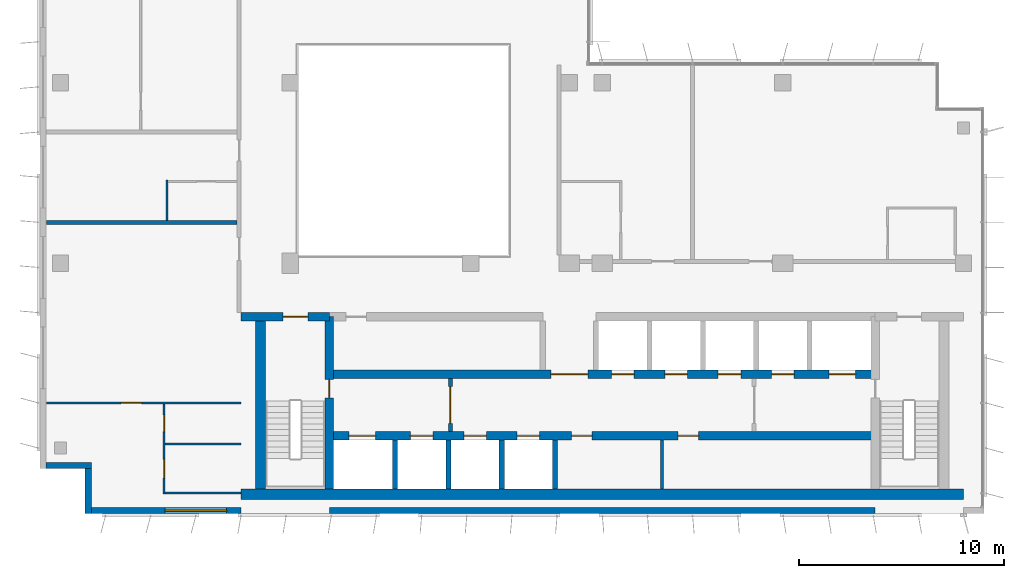
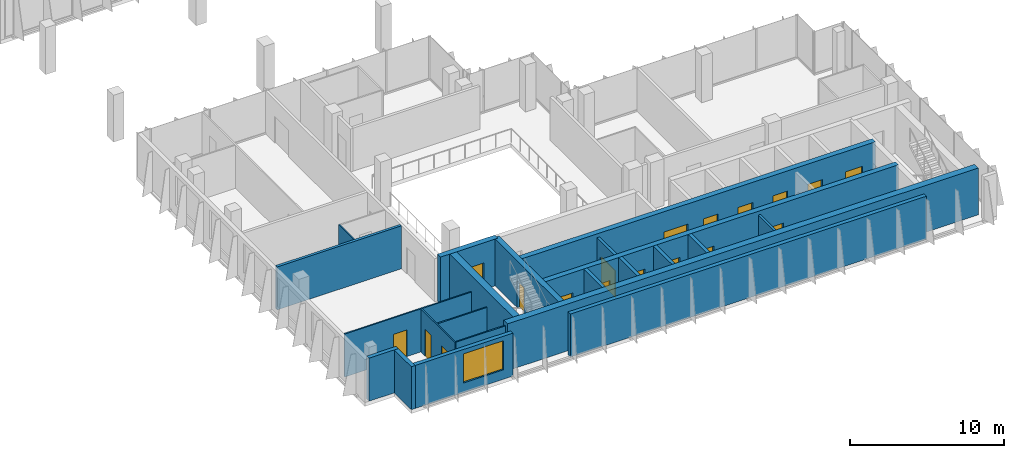
# One storey, part 9 of 14: 22 walls, 18 doors, 1 window, 19 openings.
"""IFC4 building model written with IfcOpenShell, lengths in metres."""

from ifc_helpers import new_model, si_unit, direction, frame, frame_2d, origin, place, context, subcontext, project, spatial, rectangle, extrude, material, layer, layer_set, type_object, element, fill, save


model = new_model("IFC4")

# Units and contexts
model_context = context("Model", 3, precision=1e-05, world=origin(), true_north=direction((0.0, 1.0)))
body_context = subcontext(model_context, "Body", "Model", "MODEL_VIEW")
ifc_project = project(units=[si_unit("LENGTHUNIT", "METRE"), si_unit("AREAUNIT", "SQUARE_METRE"), si_unit("VOLUMEUNIT", "CUBIC_METRE"), si_unit("PLANEANGLEUNIT", "RADIAN"), si_unit("MASSUNIT", "GRAM", prefix="KILO")], contexts=[model_context])

# Site, building, storey
site_placement = place(None, origin())
site = spatial("IfcSite", under=ifc_project, at=site_placement, CompositionType="ELEMENT")
building_placement = place(site_placement, origin())
building = spatial("IfcBuilding", under=site, at=building_placement, Name="Kemantara Hotel Tower", CompositionType="ELEMENT")
storey_placement = place(building_placement, frame((0.0, 0.0, 248.699951171875)))
storey = spatial("IfcBuildingStorey", under=building, at=storey_placement, Name="L62", CompositionType="ELEMENT", Elevation=248.699951171875)

# Walls
ifc_material_1 = material(Name="Bronze anodised aluminium cladding on insulated steel stud wall", Category="steel")
ifc_layer_1 = layer(ifc_material_1, 0.300048828125)
ifc_layer_set_1 = layer_set([ifc_layer_1], Name="Bronze anodised aluminium cladding on insulated steel stud wall")
wall_type_1 = type_object("IfcWallType", Name="BRONZE METAL-CLAD EXTERNAL WALL 300", PredefinedType="STANDARD", material=ifc_layer_set_1)
for number, where, z_axis, x_axis, name in (
    (1, (0.300048828125, 2.35009765625, 0.0), (0.0, 0.0, 1.0), (1.0, 0.0, 0.0), "EXTERNAL WALL L62 T4P-R03"),
    (2, (2.35009765625, 2.199951171875, 0.0), (0.0, 0.0, 1.0), (0.0, -1.0, 0.0), "EXTERNAL WALL L62 T4P-R04"),
):
    element("IfcWall", number, at=place(storey_placement, frame(where, z_axis=z_axis, x_axis=x_axis)), inside=storey, type_object=wall_type_1, Name=name, PredefinedType="STANDARD", context=body_context, shape_type="SweptSolid", body=[
        extrude(rectangle(XDim=2.199951171875, YDim=0.300048828125, at=frame_2d((1.10009765625, 0.0))), origin(), (0.0, 0.0, 1.0), 3.400146484375),
    ])

# Wall, opening, window
wall_1_placement = place(storey_placement, frame((2.5, 0.14990234375, 0.0), z_axis=(0.0, 0.0, 1.0), x_axis=(1.0, 0.0, 0.0)))
wall_1 = element("IfcWall", 3, at=wall_1_placement, inside=storey, type_object=wall_type_1, Name="EXTERNAL WALL L62 T4P-R05", PredefinedType="STANDARD", context=body_context, shape_type="SweptSolid", body=[
    extrude(rectangle(XDim=7.300048828125, YDim=0.300048828125, at=frame_2d((3.64990234375, 0.0))), origin(), (0.0, 0.0, 1.0), 3.400146484375),
])
opening_1_placement = place(wall_1_placement, frame((3.60009765625, 0.0, 0.75)))
opening_1 = element("IfcOpeningElement", 4, at=opening_1_placement, cuts=wall_1, Name="Opening W1", PredefinedType="OPENING", context=body_context, shape_type="SweptSolid", body=[
    extrude(rectangle(XDim=3.0, YDim=2.300048828125, at=frame_2d((1.5, 1.14990234375))), frame((0.0, 0.159912109375, 0.0), z_axis=(0.0, -1.0, 0.0), x_axis=(1.0, 0.0, 0.0)), (0.0, 0.0, 1.0), 0.320068359375),
])
ifc_material_2 = material(Name="Low-E tinted double insulated glass in bronze anodised aluminium frame", Category="aluminium")
window_type = type_object("IfcWindowType", Name="CHICAGO WINDOW, TRIPLE PANEL 3000x2300", PartitioningType="TRIPLE_PANEL_VERTICAL", PredefinedType="WINDOW", material=ifc_material_2)
window_placement = place(opening_1_placement, origin())
window = element("IfcWindow", 5, at=window_placement, inside=storey, type_object=window_type, Name="CHICAGO WINDOW L62 T4P-R05-54", OverallHeight=2.300048828125, OverallWidth=3.0, PartitioningType="SINGLE_PANEL", PredefinedType="WINDOW", context=body_context, shape_type="SweptSolid", body=[
    extrude(rectangle(XDim=3.0, YDim=2.300048828125, at=frame_2d((1.5, 1.14990234375))), frame((0.0, 0.030029296875, 0.0), z_axis=(0.0, -1.0, 0.0), x_axis=(1.0, 0.0, 0.0)), (0.0, 0.0, 1.0), 0.06005859375),
])
fill(opening_1, window)

# Walls
wall_2_placement = place(storey_placement, frame((14.10009765625, 0.14990234375, 0.0), z_axis=(0.0, 0.0, 1.0), x_axis=(1.0, 0.0, 0.0)))
element("IfcWall", 6, at=wall_2_placement, inside=storey, type_object=wall_type_1, Name="EXTERNAL WALL L62 T4P-R05-2", PredefinedType="STANDARD", context=body_context, shape_type="SweptSolid", body=[
    extrude(rectangle(XDim=26.599853515625, YDim=0.300048828125, at=frame_2d((13.2998046875, 0.0))), origin(), (0.0, 0.0, 1.0), 3.400146484375),
])
ifc_material_3 = material(Name="Concrete fc 60 MPa", Category="concrete")
ifc_layer_2 = layer(ifc_material_3, 0.25)
ifc_layer_set_2 = layer_set([ifc_layer_2], Name="Concrete fc 60 MPa")
wall_type_2 = type_object("IfcWallType", Name="CORE WALL 250 FC60", PredefinedType="SHEAR", material=ifc_layer_set_2)
for number, where, z_axis, x_axis, name in (
    (7, (17.300048828125, 1.199951171875, 0.0), (0.0, 0.0, 1.0), (0.0, 1.0, 0.0), "CORE WALL CW-DS17.3"),
    (8, (19.89990234375, 1.199951171875, 0.0), (0.0, 0.0, 1.0), (0.0, 1.0, 0.0), "CORE WALL CW-DS19.9"),
    (9, (22.5, 1.199951171875, 0.0), (0.0, 0.0, 1.0), (0.0, 1.0, 0.0), "CORE WALL CW-DS22.5"),
    (10, (25.10009765625, 1.199951171875, 0.0), (0.0, 0.0, 1.0), (0.0, 1.0, 0.0), "CORE WALL CW-DS25.1"),
):
    element("IfcWall", number, at=place(storey_placement, frame(where, z_axis=z_axis, x_axis=x_axis)), inside=storey, type_object=wall_type_2, Name=name, PredefinedType="SHEAR", context=body_context, shape_type="SweptSolid", body=[
        extrude(rectangle(XDim=2.400146484375, YDim=0.25, at=frame_2d((1.2001953125, 0.0))), origin(), (0.0, 0.0, 1.0), 3.699951171875),
    ])

# Wall, opening, door
ifc_layer_3 = layer(ifc_material_3, 0.39990234375)
ifc_layer_set_3 = layer_set([ifc_layer_3], Name="Concrete fc 60 MPa")
wall_type_3 = type_object("IfcWallType", Name="CORE WALL 400 FC60", PredefinedType="SHEAR", material=ifc_layer_set_3)
wall_3_placement = place(storey_placement, frame((9.800048828125, 9.60009765625, 0.0), z_axis=(0.0, 0.0, 1.0), x_axis=(1.0, 0.0, 0.0)))
wall_3 = element("IfcWall", 11, at=wall_3_placement, inside=storey, type_object=wall_type_3, Name="CORE WALL CW-N1", PredefinedType="SHEAR", context=body_context, shape_type="SweptSolid", body=[
    extrude(rectangle(XDim=4.300048828125, YDim=0.39990234375, at=frame_2d((2.14990234375, 0.0))), origin(), (0.0, 0.0, 1.0), 3.699951171875),
])
opening_2_placement = place(wall_3_placement, frame((2.050048828125, 0.0, 0.0)))
opening_2 = element("IfcOpeningElement", 12, at=opening_2_placement, cuts=wall_3, Name="Opening C37-ST1-C", PredefinedType="OPENING", context=body_context, shape_type="SweptSolid", body=[
    extrude(rectangle(XDim=1.199951171875, YDim=2.10009765625, at=frame_2d((0.60009765625, 1.050048828125))), frame((0.0, 0.2099609375, 0.0), z_axis=(0.0, -1.0, 0.0), x_axis=(1.0, 0.0, 0.0)), (0.0, 0.0, 1.0), 0.419921875),
])
ifc_material_4 = material(Name="Steel fire door", Category="steel")
door_type_1 = type_object("IfcDoorType", Name="Fire door FD90 1200 x 2100", OperationType="NOTDEFINED", PredefinedType="DOOR", material=ifc_material_4)
door_1_placement = place(opening_2_placement, frame((1.199951171875, 0.0, 0.0), z_axis=(0.0, 0.0, 1.0), x_axis=(-1.0, 0.0, 0.0)))
door_1 = element("IfcDoor", 13, at=door_1_placement, inside=storey, type_object=door_type_1, Name="Stair ST1 door to corridor", OperationType="SINGLE_SWING_LEFT", OverallHeight=2.10009765625, OverallWidth=1.199951171875, PredefinedType="DOOR", context=body_context, shape_type="SweptSolid", body=[
    extrude(rectangle(XDim=1.199951171875, YDim=2.10009765625, at=frame_2d((0.60009765625, 1.050048828125))), frame((0.0, 0.02490234375, 0.0), z_axis=(0.0, -1.0, 0.0), x_axis=(1.0, 0.0, 0.0)), (0.0, 0.0, 1.0), 0.050048828125),
])
fill(opening_2, door_1)

# Wall, openings, doors
wall_4_placement = place(storey_placement, frame((14.10009765625, 3.800048828125, 0.0), z_axis=(0.0, 0.0, 1.0), x_axis=(1.0, 0.0, 0.0)))
wall_4 = element("IfcWall", 14, at=wall_4_placement, inside=storey, type_object=wall_type_3, Name="CORE WALL CW-L1", PredefinedType="SHEAR", context=body_context, shape_type="SweptSolid", body=[
    extrude(rectangle(XDim=26.599853515625, YDim=0.39990234375, at=frame_2d((13.2998046875, 0.0))), origin(), (0.0, 0.0, 1.0), 3.699951171875),
])
opening_3_placement = place(wall_4_placement, frame((0.949951171875, 0.0, 0.0)))
opening_3 = element("IfcOpeningElement", 15, at=opening_3_placement, cuts=wall_4, Name="Opening C37-LD-FF1", PredefinedType="OPENING", context=body_context, shape_type="SweptSolid", body=[
    extrude(rectangle(XDim=1.300048828125, YDim=2.10009765625, at=frame_2d((0.64990234375, 1.050048828125))), frame((0.0, 0.2099609375, 0.0), z_axis=(0.0, -1.0, 0.0), x_axis=(1.0, 0.0, 0.0)), (0.0, 0.0, 1.0), 0.419921875),
])
opening_4_placement = place(wall_4_placement, frame((3.949951171875, 0.0, 0.0)))
opening_4 = element("IfcOpeningElement", 16, at=opening_4_placement, cuts=wall_4, Name="Opening C37-LD-SV1", PredefinedType="OPENING", context=body_context, shape_type="SweptSolid", body=[
    extrude(rectangle(XDim=1.10009765625, YDim=2.10009765625, at=frame_2d((0.550048828125, 1.050048828125))), frame((0.0, 0.2099609375, 0.0), z_axis=(0.0, -1.0, 0.0), x_axis=(1.0, 0.0, 0.0)), (0.0, 0.0, 1.0), 0.419921875),
])
opening_5_placement = place(wall_4_placement, frame((6.550048828125, 0.0, 0.0)))
opening_5 = element("IfcOpeningElement", 17, at=opening_5_placement, cuts=wall_4, Name="Opening C37-LD-SV2", PredefinedType="OPENING", context=body_context, shape_type="SweptSolid", body=[
    extrude(rectangle(XDim=1.10009765625, YDim=2.10009765625, at=frame_2d((0.550048828125, 1.050048828125))), frame((0.0, 0.2099609375, 0.0), z_axis=(0.0, -1.0, 0.0), x_axis=(1.0, 0.0, 0.0)), (0.0, 0.0, 1.0), 0.419921875),
])
opening_6_placement = place(wall_4_placement, frame((9.14990234375, 0.0, 0.0)))
opening_6 = element("IfcOpeningElement", 18, at=opening_6_placement, cuts=wall_4, Name="Opening C37-LD-SV3", PredefinedType="OPENING", context=body_context, shape_type="SweptSolid", body=[
    extrude(rectangle(XDim=1.10009765625, YDim=2.10009765625, at=frame_2d((0.550048828125, 1.050048828125))), frame((0.0, 0.2099609375, 0.0), z_axis=(0.0, -1.0, 0.0), x_axis=(1.0, 0.0, 0.0)), (0.0, 0.0, 1.0), 0.419921875),
])
opening_7_placement = place(wall_4_placement, frame((11.800048828125, 0.0, 0.0)))
opening_7 = element("IfcOpeningElement", 19, at=opening_7_placement, cuts=wall_4, Name="Opening C37-R-SM1", PredefinedType="OPENING", context=body_context, shape_type="SweptSolid", body=[
    extrude(rectangle(XDim=1.0, YDim=2.10009765625, at=frame_2d((0.5, 1.050048828125))), frame((0.0, 0.2099609375, 0.0), z_axis=(0.0, -1.0, 0.0), x_axis=(1.0, 0.0, 0.0)), (0.0, 0.0, 1.0), 0.419921875),
])
opening_8_placement = place(wall_4_placement, frame((17.0, 0.0, 0.0)))
opening_8 = element("IfcOpeningElement", 20, at=opening_8_placement, cuts=wall_4, Name="Opening C37-R-SM2", PredefinedType="OPENING", context=body_context, shape_type="SweptSolid", body=[
    extrude(rectangle(XDim=1.0, YDim=2.10009765625, at=frame_2d((0.5, 1.050048828125))), frame((0.0, 0.2099609375, 0.0), z_axis=(0.0, -1.0, 0.0), x_axis=(1.0, 0.0, 0.0)), (0.0, 0.0, 1.0), 0.419921875),
])
door_type_2 = type_object("IfcDoorType", Name="Fire door FD30S 1000 x 2100", OperationType="NOTDEFINED", PredefinedType="DOOR", material=ifc_material_4)
door_2_placement = place(opening_7_placement, frame((1.0, 0.0, 0.0), z_axis=(0.0, 0.0, 1.0), x_axis=(-1.0, 0.0, 0.0)))
door_2 = element("IfcDoor", 21, at=door_2_placement, inside=storey, type_object=door_type_2, Name="Luggage Store door", OperationType="SINGLE_SWING_RIGHT", OverallHeight=2.10009765625, OverallWidth=1.0, PredefinedType="DOOR", context=body_context, shape_type="SweptSolid", body=[
    extrude(rectangle(XDim=1.0, YDim=2.10009765625, at=frame_2d((0.5, 1.050048828125))), frame((0.0, 0.02490234375, 0.0), z_axis=(0.0, -1.0, 0.0), x_axis=(1.0, 0.0, 0.0)), (0.0, 0.0, 1.0), 0.050048828125),
])
fill(opening_7, door_2)
door_3_placement = place(opening_8_placement, frame((1.0, 0.0, 0.0), z_axis=(0.0, 0.0, 1.0), x_axis=(-1.0, 0.0, 0.0)))
door_3 = element("IfcDoor", 22, at=door_3_placement, inside=storey, type_object=door_type_2, Name="Staff Lounge door", OperationType="SINGLE_SWING_LEFT", OverallHeight=2.10009765625, OverallWidth=1.0, PredefinedType="DOOR", context=body_context, shape_type="SweptSolid", body=[
    extrude(rectangle(XDim=1.0, YDim=2.10009765625, at=frame_2d((0.5, 1.050048828125))), frame((0.0, 0.02490234375, 0.0), z_axis=(0.0, -1.0, 0.0), x_axis=(1.0, 0.0, 0.0)), (0.0, 0.0, 1.0), 0.050048828125),
])
fill(opening_8, door_3)
ifc_material_5 = material(Name="Stainless steel lift door", Category="steel")
door_type_3 = type_object("IfcDoorType", Name="Lift landing door 1100 x 2100 FD60", OperationType="DOUBLE_DOOR_SLIDING", PredefinedType="DOOR", material=ifc_material_5)
door_4_placement = place(opening_4_placement, origin())
door_4 = element("IfcDoor", 23, at=door_4_placement, inside=storey, type_object=door_type_3, Name="Lift SV1 landing door", OperationType="DOUBLE_DOOR_SLIDING", OverallHeight=2.10009765625, OverallWidth=1.10009765625, PredefinedType="DOOR", context=body_context, shape_type="SweptSolid", body=[
    extrude(rectangle(XDim=1.10009765625, YDim=2.10009765625, at=frame_2d((0.550048828125, 1.050048828125))), frame((0.0, 0.02490234375, 0.0), z_axis=(0.0, -1.0, 0.0), x_axis=(1.0, 0.0, 0.0)), (0.0, 0.0, 1.0), 0.050048828125),
])
fill(opening_4, door_4)
door_5_placement = place(opening_5_placement, origin())
door_5 = element("IfcDoor", 24, at=door_5_placement, inside=storey, type_object=door_type_3, Name="Lift SV2 landing door", OperationType="DOUBLE_DOOR_SLIDING", OverallHeight=2.10009765625, OverallWidth=1.10009765625, PredefinedType="DOOR", context=body_context, shape_type="SweptSolid", body=[
    extrude(rectangle(XDim=1.10009765625, YDim=2.10009765625, at=frame_2d((0.550048828125, 1.050048828125))), frame((0.0, 0.02490234375, 0.0), z_axis=(0.0, -1.0, 0.0), x_axis=(1.0, 0.0, 0.0)), (0.0, 0.0, 1.0), 0.050048828125),
])
fill(opening_5, door_5)
door_6_placement = place(opening_6_placement, origin())
door_6 = element("IfcDoor", 25, at=door_6_placement, inside=storey, type_object=door_type_3, Name="Lift SV3 landing door", OperationType="DOUBLE_DOOR_SLIDING", OverallHeight=2.10009765625, OverallWidth=1.10009765625, PredefinedType="DOOR", context=body_context, shape_type="SweptSolid", body=[
    extrude(rectangle(XDim=1.10009765625, YDim=2.10009765625, at=frame_2d((0.550048828125, 1.050048828125))), frame((0.0, 0.02490234375, 0.0), z_axis=(0.0, -1.0, 0.0), x_axis=(1.0, 0.0, 0.0)), (0.0, 0.0, 1.0), 0.050048828125),
])
fill(opening_6, door_6)
door_type_4 = type_object("IfcDoorType", Name="Lift landing door 1300 x 2100 FD90", OperationType="DOUBLE_DOOR_SLIDING", PredefinedType="DOOR", material=ifc_material_5)
door_7_placement = place(opening_3_placement, origin())
door_7 = element("IfcDoor", 26, at=door_7_placement, inside=storey, type_object=door_type_4, Name="Lift FF1 landing door", OperationType="DOUBLE_DOOR_SLIDING", OverallHeight=2.10009765625, OverallWidth=1.300048828125, PredefinedType="DOOR", context=body_context, shape_type="SweptSolid", body=[
    extrude(rectangle(XDim=1.300048828125, YDim=2.10009765625, at=frame_2d((0.64990234375, 1.050048828125))), frame((0.0, 0.02490234375, 0.0), z_axis=(0.0, -1.0, 0.0), x_axis=(1.0, 0.0, 0.0)), (0.0, 0.0, 1.0), 0.050048828125),
])
fill(opening_3, door_7)

wall_5_placement = place(storey_placement, frame((14.10009765625, 6.800048828125, 0.0), z_axis=(0.0, 0.0, 1.0), x_axis=(1.0, 0.0, 0.0)))
wall_5 = element("IfcWall", 27, at=wall_5_placement, inside=storey, type_object=wall_type_3, Name="CORE WALL CW-L2", PredefinedType="SHEAR", context=body_context, shape_type="SweptSolid", body=[
    extrude(rectangle(XDim=26.599853515625, YDim=0.39990234375, at=frame_2d((13.2998046875, 0.0))), origin(), (0.0, 0.0, 1.0), 3.699951171875),
])
opening_9_placement = place(wall_5_placement, frame((10.800048828125, 0.0, 0.0)))
opening_9 = element("IfcOpeningElement", 28, at=opening_9_placement, cuts=wall_5, Name="Opening C37-VL", PredefinedType="OPENING", context=body_context, shape_type="SweptSolid", body=[
    extrude(rectangle(XDim=1.800048828125, YDim=2.10009765625, at=frame_2d((0.89990234375, 1.050048828125))), frame((0.0, 0.2099609375, 0.0), z_axis=(0.0, -1.0, 0.0), x_axis=(1.0, 0.0, 0.0)), (0.0, 0.0, 1.0), 0.419921875),
])
opening_10_placement = place(wall_5_placement, frame((13.75, 0.0, 0.0)))
opening_10 = element("IfcOpeningElement", 29, at=opening_10_placement, cuts=wall_5, Name="Opening C37-LD-HR1", PredefinedType="OPENING", context=body_context, shape_type="SweptSolid", body=[
    extrude(rectangle(XDim=1.10009765625, YDim=2.10009765625, at=frame_2d((0.550048828125, 1.050048828125))), frame((0.0, 0.2099609375, 0.0), z_axis=(0.0, -1.0, 0.0), x_axis=(1.0, 0.0, 0.0)), (0.0, 0.0, 1.0), 0.419921875),
])
opening_11_placement = place(wall_5_placement, frame((16.35009765625, 0.0, 0.0)))
opening_11 = element("IfcOpeningElement", 30, at=opening_11_placement, cuts=wall_5, Name="Opening C37-LD-HR2", PredefinedType="OPENING", context=body_context, shape_type="SweptSolid", body=[
    extrude(rectangle(XDim=1.10009765625, YDim=2.10009765625, at=frame_2d((0.550048828125, 1.050048828125))), frame((0.0, 0.2099609375, 0.0), z_axis=(0.0, -1.0, 0.0), x_axis=(1.0, 0.0, 0.0)), (0.0, 0.0, 1.0), 0.419921875),
])
opening_12_placement = place(wall_5_placement, frame((18.949951171875, 0.0, 0.0)))
opening_12 = element("IfcOpeningElement", 31, at=opening_12_placement, cuts=wall_5, Name="Opening C37-LD-HR3", PredefinedType="OPENING", context=body_context, shape_type="SweptSolid", body=[
    extrude(rectangle(XDim=1.10009765625, YDim=2.10009765625, at=frame_2d((0.550048828125, 1.050048828125))), frame((0.0, 0.2099609375, 0.0), z_axis=(0.0, -1.0, 0.0), x_axis=(1.0, 0.0, 0.0)), (0.0, 0.0, 1.0), 0.419921875),
])
opening_13_placement = place(wall_5_placement, frame((21.550048828125, 0.0, 0.0)))
opening_13 = element("IfcOpeningElement", 32, at=opening_13_placement, cuts=wall_5, Name="Opening C37-LD-HR4", PredefinedType="OPENING", context=body_context, shape_type="SweptSolid", body=[
    extrude(rectangle(XDim=1.10009765625, YDim=2.10009765625, at=frame_2d((0.550048828125, 1.050048828125))), frame((0.0, 0.2099609375, 0.0), z_axis=(0.0, -1.0, 0.0), x_axis=(1.0, 0.0, 0.0)), (0.0, 0.0, 1.0), 0.419921875),
])
opening_14_placement = place(wall_5_placement, frame((24.35009765625, 0.0, 0.0)))
opening_14 = element("IfcOpeningElement", 33, at=opening_14_placement, cuts=wall_5, Name="Opening C37-LD-FF2", PredefinedType="OPENING", context=body_context, shape_type="SweptSolid", body=[
    extrude(rectangle(XDim=1.300048828125, YDim=2.10009765625, at=frame_2d((0.64990234375, 1.050048828125))), frame((0.0, 0.2099609375, 0.0), z_axis=(0.0, -1.0, 0.0), x_axis=(1.0, 0.0, 0.0)), (0.0, 0.0, 1.0), 0.419921875),
])
door_type_5 = type_object("IfcDoorType", Name="Fire door pair FD60 1800 x 2100", OperationType="DOUBLE_DOOR_SINGLE_SWING", PredefinedType="DOOR", material=ifc_material_4)
door_8_placement = place(opening_9_placement, frame((1.800048828125, 0.0, 0.0), z_axis=(0.0, 0.0, 1.0), x_axis=(-1.0, 0.0, 0.0)))
door_8 = element("IfcDoor", 34, at=door_8_placement, inside=storey, type_object=door_type_5, Name="Lift lobby entry door", OperationType="DOUBLE_DOOR_SINGLE_SWING", OverallHeight=2.10009765625, OverallWidth=1.800048828125, PredefinedType="DOOR", context=body_context, shape_type="SweptSolid", body=[
    extrude(rectangle(XDim=1.800048828125, YDim=2.10009765625, at=frame_2d((0.89990234375, 1.050048828125))), frame((0.0, 0.02490234375, 0.0), z_axis=(0.0, -1.0, 0.0), x_axis=(1.0, 0.0, 0.0)), (0.0, 0.0, 1.0), 0.050048828125),
])
fill(opening_9, door_8)
door_9_placement = place(opening_10_placement, origin())
door_9 = element("IfcDoor", 35, at=door_9_placement, inside=storey, type_object=door_type_3, Name="Lift HR1 landing door", OperationType="DOUBLE_DOOR_SLIDING", OverallHeight=2.10009765625, OverallWidth=1.10009765625, PredefinedType="DOOR", context=body_context, shape_type="SweptSolid", body=[
    extrude(rectangle(XDim=1.10009765625, YDim=2.10009765625, at=frame_2d((0.550048828125, 1.050048828125))), frame((0.0, 0.02490234375, 0.0), z_axis=(0.0, -1.0, 0.0), x_axis=(1.0, 0.0, 0.0)), (0.0, 0.0, 1.0), 0.050048828125),
])
fill(opening_10, door_9)
door_10_placement = place(opening_11_placement, origin())
door_10 = element("IfcDoor", 36, at=door_10_placement, inside=storey, type_object=door_type_3, Name="Lift HR2 landing door", OperationType="DOUBLE_DOOR_SLIDING", OverallHeight=2.10009765625, OverallWidth=1.10009765625, PredefinedType="DOOR", context=body_context, shape_type="SweptSolid", body=[
    extrude(rectangle(XDim=1.10009765625, YDim=2.10009765625, at=frame_2d((0.550048828125, 1.050048828125))), frame((0.0, 0.02490234375, 0.0), z_axis=(0.0, -1.0, 0.0), x_axis=(1.0, 0.0, 0.0)), (0.0, 0.0, 1.0), 0.050048828125),
])
fill(opening_11, door_10)
door_11_placement = place(opening_12_placement, origin())
door_11 = element("IfcDoor", 37, at=door_11_placement, inside=storey, type_object=door_type_3, Name="Lift HR3 landing door", OperationType="DOUBLE_DOOR_SLIDING", OverallHeight=2.10009765625, OverallWidth=1.10009765625, PredefinedType="DOOR", context=body_context, shape_type="SweptSolid", body=[
    extrude(rectangle(XDim=1.10009765625, YDim=2.10009765625, at=frame_2d((0.550048828125, 1.050048828125))), frame((0.0, 0.02490234375, 0.0), z_axis=(0.0, -1.0, 0.0), x_axis=(1.0, 0.0, 0.0)), (0.0, 0.0, 1.0), 0.050048828125),
])
fill(opening_12, door_11)
door_12_placement = place(opening_13_placement, origin())
door_12 = element("IfcDoor", 38, at=door_12_placement, inside=storey, type_object=door_type_3, Name="Lift HR4 landing door", OperationType="DOUBLE_DOOR_SLIDING", OverallHeight=2.10009765625, OverallWidth=1.10009765625, PredefinedType="DOOR", context=body_context, shape_type="SweptSolid", body=[
    extrude(rectangle(XDim=1.10009765625, YDim=2.10009765625, at=frame_2d((0.550048828125, 1.050048828125))), frame((0.0, 0.02490234375, 0.0), z_axis=(0.0, -1.0, 0.0), x_axis=(1.0, 0.0, 0.0)), (0.0, 0.0, 1.0), 0.050048828125),
])
fill(opening_13, door_12)
door_13_placement = place(opening_14_placement, origin())
door_13 = element("IfcDoor", 39, at=door_13_placement, inside=storey, type_object=door_type_4, Name="Lift FF2 landing door", OperationType="DOUBLE_DOOR_SLIDING", OverallHeight=2.10009765625, OverallWidth=1.300048828125, PredefinedType="DOOR", context=body_context, shape_type="SweptSolid", body=[
    extrude(rectangle(XDim=1.300048828125, YDim=2.10009765625, at=frame_2d((0.64990234375, 1.050048828125))), frame((0.0, 0.02490234375, 0.0), z_axis=(0.0, -1.0, 0.0), x_axis=(1.0, 0.0, 0.0)), (0.0, 0.0, 1.0), 0.050048828125),
])
fill(opening_14, door_13)

# Wall, opening, door
wall_6_placement = place(storey_placement, frame((14.10009765625, 1.199951171875, 0.0), z_axis=(0.0, 0.0, 1.0), x_axis=(0.0, 1.0, 0.0)))
wall_6 = element("IfcWall", 40, at=wall_6_placement, inside=storey, type_object=wall_type_3, Name="CORE WALL CW-ST1E", PredefinedType="SHEAR", context=body_context, shape_type="SweptSolid", body=[
    extrude(rectangle(XDim=8.400146484375, YDim=0.39990234375, at=frame_2d((4.2001953125, 0.0))), origin(), (0.0, 0.0, 1.0), 3.699951171875),
])
opening_15_placement = place(wall_6_placement, frame((4.449951171875, 0.0, 0.0)))
opening_15 = element("IfcOpeningElement", 41, at=opening_15_placement, cuts=wall_6, Name="Opening C37-ST1-F", PredefinedType="OPENING", context=body_context, shape_type="SweptSolid", body=[
    extrude(rectangle(XDim=0.89990234375, YDim=2.10009765625, at=frame_2d((0.449951171875, 1.050048828125))), frame((0.0, 0.2099609375, 0.0), z_axis=(0.0, -1.0, 0.0), x_axis=(1.0, 0.0, 0.0)), (0.0, 0.0, 1.0), 0.419921875),
])
door_type_6 = type_object("IfcDoorType", Name="Fire door FD90 900 x 2100", OperationType="NOTDEFINED", PredefinedType="DOOR", material=ifc_material_4)
door_14_placement = place(opening_15_placement, origin())
door_14 = element("IfcDoor", 42, at=door_14_placement, inside=storey, type_object=door_type_6, Name="Stair ST1 door to firefighting lobby", OperationType="SINGLE_SWING_RIGHT", OverallHeight=2.10009765625, OverallWidth=0.89990234375, PredefinedType="DOOR", context=body_context, shape_type="SweptSolid", body=[
    extrude(rectangle(XDim=0.89990234375, YDim=2.10009765625, at=frame_2d((0.449951171875, 1.050048828125))), frame((0.0, 0.02490234375, 0.0), z_axis=(0.0, -1.0, 0.0), x_axis=(1.0, 0.0, 0.0)), (0.0, 0.0, 1.0), 0.050048828125),
])
fill(opening_15, door_14)

# Walls
ifc_layer_4 = layer(ifc_material_3, 0.5)
ifc_layer_set_4 = layer_set([ifc_layer_4], Name="Concrete fc 60 MPa")
wall_type_4 = type_object("IfcWallType", Name="CORE WALL 500 FC60", PredefinedType="SHEAR", material=ifc_layer_set_4)
wall_7_placement = place(storey_placement, frame((9.800048828125, 0.949951171875, 0.0), z_axis=(0.0, 0.0, 1.0), x_axis=(1.0, 0.0, 0.0)))
element("IfcWall", 43, at=wall_7_placement, inside=storey, type_object=wall_type_4, Name="CORE WALL CW-S", PredefinedType="SHEAR", context=body_context, shape_type="SweptSolid", body=[
    extrude(rectangle(XDim=35.199951171875, YDim=0.5, at=frame_2d((17.60009765625, 0.0))), origin(), (0.0, 0.0, 1.0), 3.699951171875),
])
wall_8_placement = place(storey_placement, frame((10.75, 1.199951171875, 0.0), z_axis=(0.0, 0.0, 1.0), x_axis=(0.0, 1.0, 0.0)))
element("IfcWall", 44, at=wall_8_placement, inside=storey, type_object=wall_type_4, Name="CORE WALL CW-W", PredefinedType="SHEAR", context=body_context, shape_type="SweptSolid", body=[
    extrude(rectangle(XDim=8.60009765625, YDim=0.5, at=frame_2d((4.300048828125, 0.0))), origin(), (0.0, 0.0, 1.0), 3.699951171875),
])
ifc_material_6 = material(Name="Gypsum board partition, steel studs and mineral wool, 200 mm", Category="steel")
ifc_layer_5 = layer(ifc_material_6, 0.199951171875)
ifc_layer_set_5 = layer_set([ifc_layer_5], Name="Gypsum board partition, steel studs and mineral wool, 200 mm")
wall_type_5 = type_object("IfcWallType", Name="GUEST ROOM PARTY WALL 200", PredefinedType="PARTITIONING", material=ifc_layer_set_5)
wall_9_placement = place(storey_placement, frame((0.31005859375, 14.199951171875, 0.0), z_axis=(0.0, 0.0, 1.0), x_axis=(1.0, 0.0, 0.0)))
element("IfcWall", 45, at=wall_9_placement, inside=storey, type_object=wall_type_5, Name="GUEST ROOM PARTY WALL 200 015", PredefinedType="PARTITIONING", context=body_context, shape_type="SweptSolid", body=[
    extrude(rectangle(XDim=9.2900390625, YDim=0.199951171875, at=frame_2d((4.64501953125, 0.0))), origin(), (0.0, 0.0, 1.0), 3.400146484375),
])
ifc_material_7 = material(Name="Gypsum board partition")
ifc_layer_6 = layer(ifc_material_7, 0.14990234375)
ifc_layer_set_6 = layer_set([ifc_layer_6], Name="Gypsum board partition")
wall_type_6 = type_object("IfcWallType", Name="Gypsum board partition 150 mm", PredefinedType="PARTITIONING", material=ifc_layer_set_6)
wall_10_placement = place(storey_placement, frame((30.300048828125, 1.199951171875, 0.0), z_axis=(0.0, 0.0, 1.0), x_axis=(0.0, 1.0, 0.0)))
element("IfcWall", 46, at=wall_10_placement, inside=storey, type_object=wall_type_6, Name="Core room partition", PredefinedType="PARTITIONING", context=body_context, shape_type="SweptSolid", body=[
    extrude(rectangle(XDim=2.400146484375, YDim=0.14990234375, at=frame_2d((1.2001953125, 0.0))), origin(), (0.0, 0.0, 1.0), 3.400146484375),
])

# Wall, opening, door
ifc_material_8 = material(Name="Gypsum board shaft wall")
ifc_layer_7 = layer(ifc_material_8, 0.199951171875)
ifc_layer_set_7 = layer_set([ifc_layer_7], Name="Gypsum board shaft wall")
wall_type_7 = type_object("IfcWallType", Name="Gypsum board shaft wall 200 mm", PredefinedType="PARTITIONING", material=ifc_layer_set_7)
wall_11_placement = place(storey_placement, frame((20.0, 4.0, 0.0), z_axis=(0.0, 0.0, 1.0), x_axis=(0.0, 1.0, 0.0)))
wall_11 = element("IfcWall", 47, at=wall_11_placement, inside=storey, type_object=wall_type_7, Name="Firefighting lobby partition west", PredefinedType="PARTITIONING", context=body_context, shape_type="SweptSolid", body=[
    extrude(rectangle(XDim=2.60009765625, YDim=0.199951171875, at=frame_2d((1.300048828125, 0.0))), origin(), (0.0, 0.0, 1.0), 3.400146484375),
])
opening_16_placement = place(wall_11_placement, frame((0.39990234375, 0.0, 0.0)))
opening_16 = element("IfcOpeningElement", 48, at=opening_16_placement, cuts=wall_11, Name="Opening C37-FFW", PredefinedType="OPENING", context=body_context, shape_type="SweptSolid", body=[
    extrude(rectangle(XDim=1.800048828125, YDim=2.10009765625, at=frame_2d((0.89990234375, 1.050048828125))), frame((0.0, 0.10986328125, 0.0), z_axis=(0.0, -1.0, 0.0), x_axis=(1.0, 0.0, 0.0)), (0.0, 0.0, 1.0), 0.219970703125),
])
door_15_placement = place(opening_16_placement, origin())
door_15 = element("IfcDoor", 49, at=door_15_placement, inside=storey, type_object=door_type_5, Name="Firefighting lobby door west", OperationType="DOUBLE_DOOR_SINGLE_SWING", OverallHeight=2.10009765625, OverallWidth=1.800048828125, PredefinedType="DOOR", context=body_context, shape_type="SweptSolid", body=[
    extrude(rectangle(XDim=1.800048828125, YDim=2.10009765625, at=frame_2d((0.89990234375, 1.050048828125))), frame((0.0, 0.02490234375, 0.0), z_axis=(0.0, -1.0, 0.0), x_axis=(1.0, 0.0, 0.0)), (0.0, 0.0, 1.0), 0.050048828125),
])
fill(opening_16, door_15)

# Wall, openings, doors
ifc_material_9 = material(Name="Gypsum board partition on steel studs, 100 mm", Category="steel")
ifc_layer_8 = layer(ifc_material_9, 0.10009765625)
ifc_layer_set_8 = layer_set([ifc_layer_8], Name="Gypsum board partition on steel studs, 100 mm")
wall_type_8 = type_object("IfcWallType", Name="ROOM PARTITION 100", PredefinedType="PARTITIONING", material=ifc_layer_set_8)
wall_12_placement = place(storey_placement, frame((6.050048828125, 5.35009765625, 0.0), z_axis=(0.0, 0.0, 1.0), x_axis=(0.0, -1.0, 0.0)))
wall_12 = element("IfcWall", 50, at=wall_12_placement, inside=storey, type_object=wall_type_8, Name="ROOM PARTITION 100 026", PredefinedType="PARTITIONING", context=body_context, shape_type="SweptSolid", body=[
    extrude(rectangle(XDim=4.400146484375, YDim=0.10009765625, at=frame_2d((2.2001953125, 0.0))), origin(), (0.0, 0.0, 1.0), 3.400146484375),
])
opening_17_placement = place(wall_12_placement, frame((2.699951171875, 0.0, 0.0)))
opening_17 = element("IfcOpeningElement", 51, at=opening_17_placement, cuts=wall_12, Name="Opening F31-007", PredefinedType="OPENING", context=body_context, shape_type="SweptSolid", body=[
    extrude(rectangle(XDim=0.89990234375, YDim=2.10009765625, at=frame_2d((0.449951171875, 1.050048828125))), frame((0.0, 0.06005859375, 0.0), z_axis=(0.0, -1.0, 0.0), x_axis=(1.0, 0.0, 0.0)), (0.0, 0.0, 1.0), 0.1201171875),
])
opening_18_placement = place(wall_12_placement, frame((0.550048828125, 0.0, 0.0)))
opening_18 = element("IfcOpeningElement", 52, at=opening_18_placement, cuts=wall_12, Name="Opening F31-008", PredefinedType="OPENING", context=body_context, shape_type="SweptSolid", body=[
    extrude(rectangle(XDim=0.800048828125, YDim=2.10009765625, at=frame_2d((0.39990234375, 1.050048828125))), frame((0.0, 0.06005859375, 0.0), z_axis=(0.0, -1.0, 0.0), x_axis=(1.0, 0.0, 0.0)), (0.0, 0.0, 1.0), 0.1201171875),
])
ifc_material_10 = material(Name="Hardwood veneer door leaf with steel frame", Category="steel")
door_type_7 = type_object("IfcDoorType", Name="BATHROOM DOOR 900 X 2100", OperationType="NOTDEFINED", PredefinedType="DOOR", material=ifc_material_10)
door_16_placement = place(opening_17_placement, origin())
door_16 = element("IfcDoor", 53, at=door_16_placement, inside=storey, type_object=door_type_7, Name="BATHROOM DOOR F31-007", OperationType="SINGLE_SWING_LEFT", OverallHeight=2.10009765625, OverallWidth=0.89990234375, PredefinedType="DOOR", context=body_context, shape_type="SweptSolid", body=[
    extrude(rectangle(XDim=0.89990234375, YDim=2.10009765625, at=frame_2d((0.449951171875, 1.050048828125))), frame((0.0, 0.02490234375, 0.0), z_axis=(0.0, -1.0, 0.0), x_axis=(1.0, 0.0, 0.0)), (0.0, 0.0, 1.0), 0.050048828125),
])
fill(opening_17, door_16)
door_type_8 = type_object("IfcDoorType", Name="WARDROBE DOOR 800 X 2100", OperationType="NOTDEFINED", PredefinedType="DOOR", material=ifc_material_10)
door_17_placement = place(opening_18_placement, origin())
door_17 = element("IfcDoor", 54, at=door_17_placement, inside=storey, type_object=door_type_8, Name="WARDROBE DOOR F31-008", OperationType="SINGLE_SWING_LEFT", OverallHeight=2.10009765625, OverallWidth=0.800048828125, PredefinedType="DOOR", context=body_context, shape_type="SweptSolid", body=[
    extrude(rectangle(XDim=0.800048828125, YDim=2.10009765625, at=frame_2d((0.39990234375, 1.050048828125))), frame((0.0, 0.02490234375, 0.0), z_axis=(0.0, -1.0, 0.0), x_axis=(1.0, 0.0, 0.0)), (0.0, 0.0, 1.0), 0.050048828125),
])
fill(opening_18, door_17)

# Wall, opening, door
wall_13_placement = place(storey_placement, frame((9.7998046875, 5.39990234375, 0.0), z_axis=(0.0, 0.0, 1.0), x_axis=(-1.0, 0.0, 0.0)))
wall_13 = element("IfcWall", 55, at=wall_13_placement, inside=storey, type_object=wall_type_8, Name="ROOM PARTITION 100 027", PredefinedType="PARTITIONING", context=body_context, shape_type="SweptSolid", body=[
    extrude(rectangle(XDim=9.48974609375, YDim=0.10009765625, at=frame_2d((4.744873046875, 0.0))), origin(), (0.0, 0.0, 1.0), 3.400146484375),
])
opening_19_placement = place(wall_13_placement, frame((4.849853515625, 0.0, 0.0)))
opening_19 = element("IfcOpeningElement", 56, at=opening_19_placement, cuts=wall_13, Name="Opening F31-006", PredefinedType="OPENING", context=body_context, shape_type="SweptSolid", body=[
    extrude(rectangle(XDim=1.0, YDim=2.10009765625, at=frame_2d((0.5, 1.050048828125))), frame((0.0, 0.06005859375, 0.0), z_axis=(0.0, -1.0, 0.0), x_axis=(1.0, 0.0, 0.0)), (0.0, 0.0, 1.0), 0.1201171875),
])
door_type_9 = type_object("IfcDoorType", Name="INTERNAL DOOR 1000 X 2100", OperationType="NOTDEFINED", PredefinedType="DOOR", material=ifc_material_10)
door_18_placement = place(opening_19_placement, origin())
door_18 = element("IfcDoor", 57, at=door_18_placement, inside=storey, type_object=door_type_9, Name="INTERNAL DOOR F31-006", OperationType="SINGLE_SWING_LEFT", OverallHeight=2.10009765625, OverallWidth=1.0, PredefinedType="DOOR", context=body_context, shape_type="SweptSolid", body=[
    extrude(rectangle(XDim=1.0, YDim=2.10009765625, at=frame_2d((0.5, 1.050048828125))), frame((0.0, 0.02490234375, 0.0), z_axis=(0.0, -1.0, 0.0), x_axis=(1.0, 0.0, 0.0)), (0.0, 0.0, 1.0), 0.050048828125),
])
fill(opening_19, door_18)

# Walls
for number, where, z_axis, x_axis, name in (
    (58, (6.10009765625, 1.0, 0.0), (0.0, 0.0, 1.0), (1.0, 0.0, 0.0), "ROOM PARTITION 100 028"),
    (59, (6.10009765625, 3.39990234375, 0.0), (0.0, 0.0, 1.0), (1.0, 0.0, 0.0), "ROOM PARTITION 100 029"),
):
    element("IfcWall", number, at=place(storey_placement, frame(where, z_axis=z_axis, x_axis=x_axis)), inside=storey, type_object=wall_type_8, Name=name, PredefinedType="PARTITIONING", context=body_context, shape_type="SweptSolid", body=[
        extrude(rectangle(XDim=3.69970703125, YDim=0.10009765625, at=frame_2d((1.849853515625, 0.0))), origin(), (0.0, 0.0, 1.0), 3.400146484375),
    ])
wall_14_placement = place(storey_placement, frame((6.199951171875, 14.300048828125, 0.0), z_axis=(0.0, 0.0, 1.0), x_axis=(0.0, 1.0, 0.0)))
element("IfcWall", 60, at=wall_14_placement, inside=storey, type_object=wall_type_8, Name="ROOM PARTITION 100 030", PredefinedType="PARTITIONING", context=body_context, shape_type="SweptSolid", body=[
    extrude(rectangle(XDim=1.949951171875, YDim=0.10009765625, at=frame_2d((0.97509765625, 0.0))), origin(), (0.0, 0.0, 1.0), 3.400146484375),
])

save(model, "model.ifc")
